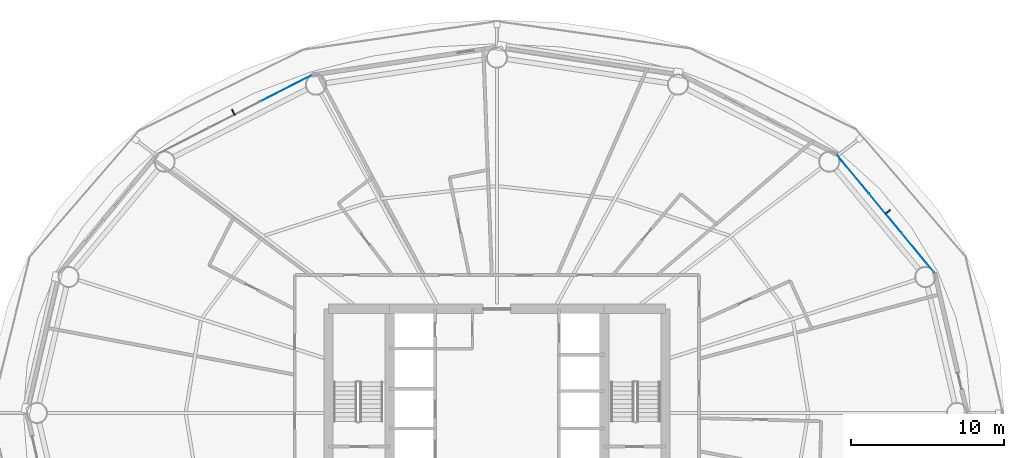
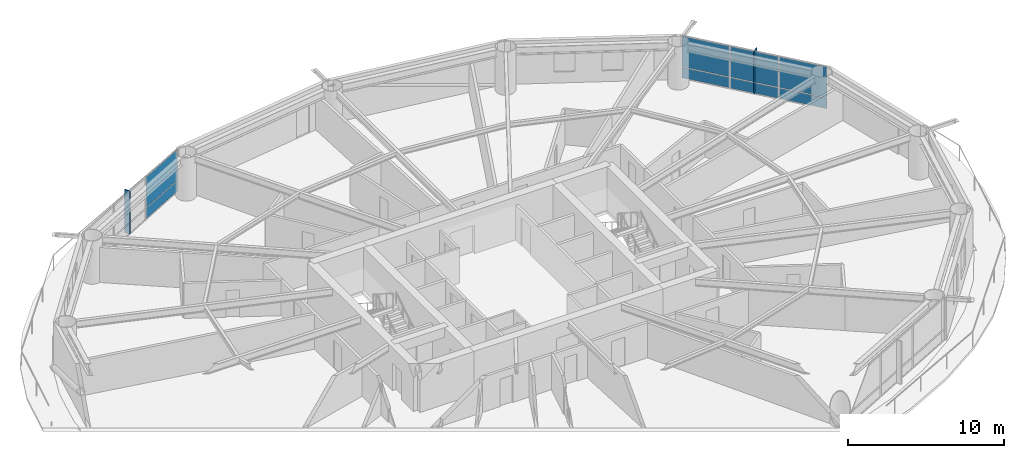
# One storey, part 18 of 26: 10 plates, 2 elements without a shape of their own.
"""IFC4 building model written with IfcOpenShell, lengths in metres."""

from ifc_helpers import new_model, si_unit, direction, frame, origin, origin_2d, place, context, subcontext, project, spatial, rectangle, extrude, material, layer, layer_set, type_object, element, aggregate, save


model = new_model("IFC4")

# Units and contexts
model_context = context("Model", 3, precision=1e-05, world=origin(), true_north=direction((0.0, 1.0)))
body_context = subcontext(model_context, "Body", "Model", "MODEL_VIEW")
ifc_project = project(units=[si_unit("LENGTHUNIT", "METRE"), si_unit("AREAUNIT", "SQUARE_METRE"), si_unit("VOLUMEUNIT", "CUBIC_METRE"), si_unit("PLANEANGLEUNIT", "RADIAN"), si_unit("MASSUNIT", "GRAM", prefix="KILO")], contexts=[model_context])

# Site, building, storey
site_placement = place(None, origin())
site = spatial("IfcSite", under=ifc_project, at=site_placement, CompositionType="ELEMENT")
building_placement = place(site_placement, origin())
building = spatial("IfcBuilding", under=site, at=building_placement, Name="Sarneth Arch Tower", CompositionType="ELEMENT")
storey_placement = place(building_placement, frame((0.0, 0.0, 46.199951171875)))
storey = spatial("IfcBuildingStorey", under=building, at=storey_placement, Name="L10", CompositionType="ELEMENT", Elevation=46.199951171875)

# Curtain wall, plates
ifc_material_1 = material(Name="Anodised aluminium Type AA25 and solar-control low-e laminated IGU", Category="aluminium")
ifc_layer_1 = layer(ifc_material_1, 0.159912109375)
ifc_layer_set_1 = layer_set([ifc_layer_1], Name="Anodised aluminium Type AA25 and solar-control low-e laminated IGU")
curtain_wall_type = type_object("IfcCurtainWallType", Name="CW-HOTEL-LOW", PredefinedType="NOTDEFINED", material=ifc_layer_set_1)
curtain_wall_1_placement = place(storey_placement, origin())
curtain_wall_1 = element("IfcCurtainWall", 1, at=curtain_wall_1_placement, inside=storey, type_object=curtain_wall_type, Name="L10 Unitised curtain wall facet 02", PredefinedType="NOTDEFINED")
ifc_material_2 = material(Name="Solar-control low-e laminated IGU", Category="glass")
ifc_layer_2 = layer(ifc_material_2, 0.028076171875)
ifc_layer_set_2 = layer_set([ifc_layer_2], Name="Solar-control low-e laminated IGU")
plate_type_1 = type_object("IfcPlateType", Name="CW-PANEL", PredefinedType="CURTAIN_PANEL", material=ifc_layer_set_2)
plate_1_placement = place(storey_placement, frame((75.503662109375, 52.441162109375, 0.06005859375), z_axis=(0.0, 0.0, 1.0), x_axis=(-0.637291340827, 0.770622960278, 0.0)))
plate_1 = element("IfcPlate", 2, at=plate_1_placement, type_object=plate_type_1, Name="Curtain wall glazed vision pane CW-L10-F02/P00-00", PredefinedType="CURTAIN_PANEL", context=body_context, shape_type="SweptSolid", body=[
    extrude(rectangle(XDim=3.260986328125, YDim=0.028076171875, at=origin_2d()), origin(), (0.0, 0.0, 1.0), 0.81005859375),
])
plate_2_placement = place(storey_placement, frame((75.503662109375, 52.441162109375, 0.93017578125), z_axis=(0.0, 0.0, 1.0), x_axis=(-0.637291340827, 0.770622960278, 0.0)))
plate_2 = element("IfcPlate", 3, at=plate_2_placement, type_object=plate_type_1, Name="Curtain wall glazed vision pane CW-L10-F02/P00-01", PredefinedType="CURTAIN_PANEL", context=body_context, shape_type="SweptSolid", body=[
    extrude(rectangle(XDim=3.260986328125, YDim=0.028076171875, at=origin_2d()), origin(), (0.0, 0.0, 1.0), 2.389892578125),
])
plate_3_placement = place(storey_placement, frame((73.37744140625, 55.01220703125, 0.06005859375), z_axis=(0.0, 0.0, 1.0), x_axis=(-0.637291340827, 0.770622960278, 0.0)))
plate_3 = element("IfcPlate", 4, at=plate_3_placement, type_object=plate_type_1, Name="Curtain wall glazed vision pane CW-L10-F02/P01-00", PredefinedType="CURTAIN_PANEL", context=body_context, shape_type="SweptSolid", body=[
    extrude(rectangle(XDim=3.291015625, YDim=0.028076171875, at=origin_2d()), origin(), (0.0, 0.0, 1.0), 0.81005859375),
])
plate_4_placement = place(storey_placement, frame((73.37744140625, 55.01220703125, 0.93017578125), z_axis=(0.0, 0.0, 1.0), x_axis=(-0.637291340827, 0.770622960278, 0.0)))
plate_4 = element("IfcPlate", 5, at=plate_4_placement, type_object=plate_type_1, Name="Curtain wall glazed vision pane CW-L10-F02/P01-01", PredefinedType="CURTAIN_PANEL", context=body_context, shape_type="SweptSolid", body=[
    extrude(rectangle(XDim=3.291015625, YDim=0.028076171875, at=origin_2d()), origin(), (0.0, 0.0, 1.0), 2.389892578125),
])
plate_5_placement = place(storey_placement, frame((71.25146484375, 57.5830078125, 0.06005859375), z_axis=(0.0, 0.0, 1.0), x_axis=(-0.637291340827, 0.770622960278, 0.0)))
plate_5 = element("IfcPlate", 6, at=plate_5_placement, type_object=plate_type_1, Name="Curtain wall glazed vision pane CW-L10-F02/P02-00", PredefinedType="CURTAIN_PANEL", context=body_context, shape_type="SweptSolid", body=[
    extrude(rectangle(XDim=3.260986328125, YDim=0.028076171875, at=origin_2d()), origin(), (0.0, 0.0, 1.0), 0.81005859375),
])
plate_6_placement = place(storey_placement, frame((71.25146484375, 57.5830078125, 0.93017578125), z_axis=(0.0, 0.0, 1.0), x_axis=(-0.637291340827, 0.770622960278, 0.0)))
plate_6 = element("IfcPlate", 7, at=plate_6_placement, type_object=plate_type_1, Name="Curtain wall glazed vision pane CW-L10-F02/P02-01", PredefinedType="CURTAIN_PANEL", context=body_context, shape_type="SweptSolid", body=[
    extrude(rectangle(XDim=3.260986328125, YDim=0.028076171875, at=origin_2d()), origin(), (0.0, 0.0, 1.0), 2.389892578125),
])
aggregate(curtain_wall_1, [plate_1, plate_2, plate_3, plate_4, plate_5, plate_6])

curtain_wall_2_placement = place(storey_placement, origin())
curtain_wall_2 = element("IfcCurtainWall", 8, at=curtain_wall_2_placement, inside=storey, type_object=curtain_wall_type, Name="L10 Unitised curtain wall facet 06", PredefinedType="NOTDEFINED")
plate_7_placement = place(storey_placement, frame((34.22607421875, 63.192626953125, 0.06005859375), z_axis=(0.0, 0.0, 1.0), x_axis=(-0.889854100456, -0.456245197127, 0.0)))
plate_7 = element("IfcPlate", 9, at=plate_7_placement, type_object=plate_type_1, Name="Curtain wall glazed vision pane CW-L10-F06/P00-00", PredefinedType="CURTAIN_PANEL", context=body_context, shape_type="SweptSolid", body=[
    extrude(rectangle(XDim=3.69189453125, YDim=0.028076171875, at=origin_2d()), origin(), (0.0, 0.0, 1.0), 0.81005859375),
])
plate_8_placement = place(storey_placement, frame((34.22607421875, 63.192626953125, 0.93017578125), z_axis=(0.0, 0.0, 1.0), x_axis=(-0.889854100456, -0.456245197127, 0.0)))
plate_8 = element("IfcPlate", 10, at=plate_8_placement, type_object=plate_type_1, Name="Curtain wall glazed vision pane CW-L10-F06/P00-01", PredefinedType="CURTAIN_PANEL", context=body_context, shape_type="SweptSolid", body=[
    extrude(rectangle(XDim=3.69189453125, YDim=0.028076171875, at=origin_2d()), origin(), (0.0, 0.0, 1.0), 2.389892578125),
])
aggregate(curtain_wall_2, [plate_7, plate_8])

# Plates
ifc_material_3 = material(Name="Extruded glazed terracotta baguette fin on Aluminium 6063-T6 carrier", Category="masonry")
ifc_layer_3 = layer(ifc_material_3, 0.080078125)
ifc_layer_set_3 = layer_set([ifc_layer_3], Name="Extruded glazed terracotta baguette fin on Aluminium 6063-T6 carrier")
plate_type_2 = type_object("IfcPlateType", Name="SHADE-TERRA-FIN", PredefinedType="SHEET", material=ifc_layer_set_3)
for number, where, z_axis, x_axis, name in (
    (11, (73.508544921875, 55.120361328125, 0.009765625), (0.0, 0.0, 1.0), (0.770624482513, 0.637289500111, 0.0), "L10 Terracotta vertical shading fin 02"),
    (12, (30.79638671875, 61.625244140625, 0.009765625), (0.0, 0.0, 1.0), (-0.4563215909, 0.889814927768, 0.0), "L10 Terracotta vertical shading fin 06"),
):
    element("IfcPlate", number, at=place(storey_placement, frame(where, z_axis=z_axis, x_axis=x_axis)), inside=storey, type_object=plate_type_2, Name=name, PredefinedType="SHEET", context=body_context, shape_type="SweptSolid", body=[
        extrude(rectangle(XDim=0.419921875, YDim=0.080078125, at=origin_2d()), origin(), (0.0, 0.0, 1.0), 3.360107421875),
    ])

save(model, "model.ifc")
